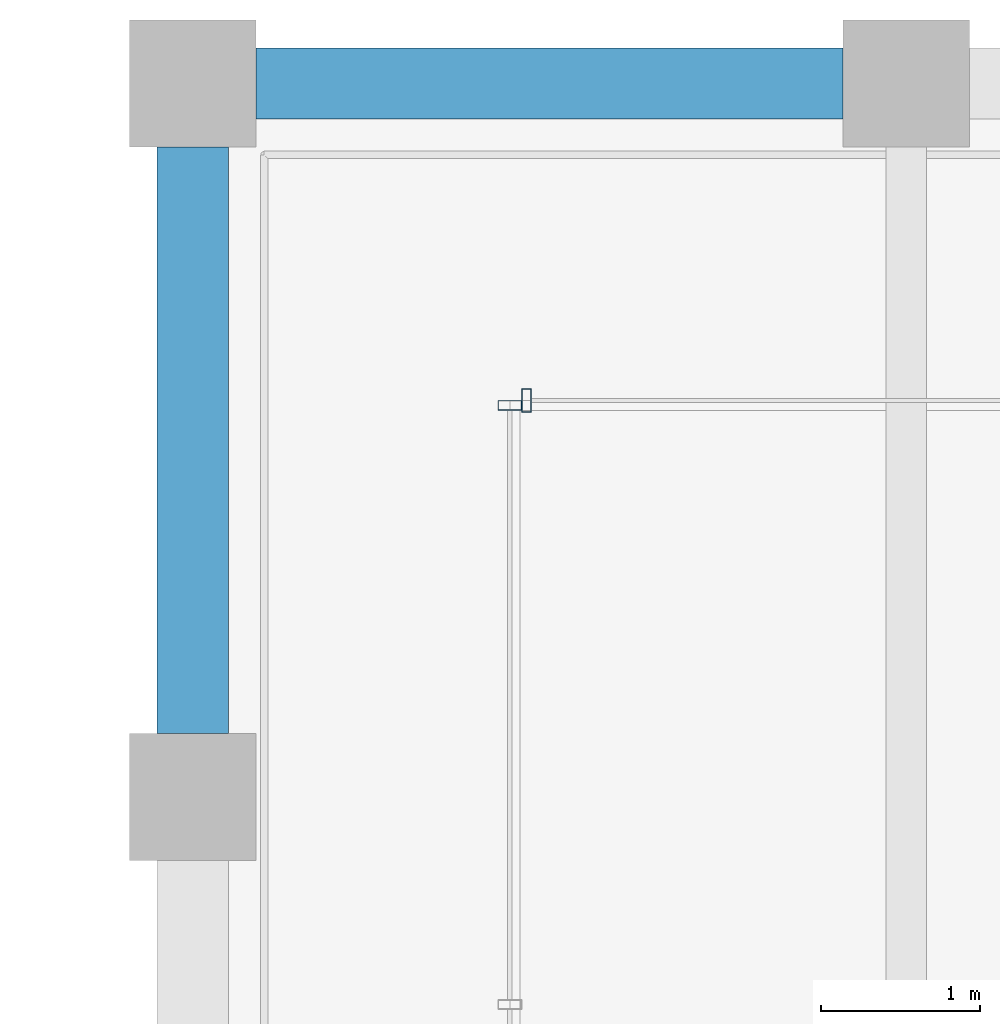
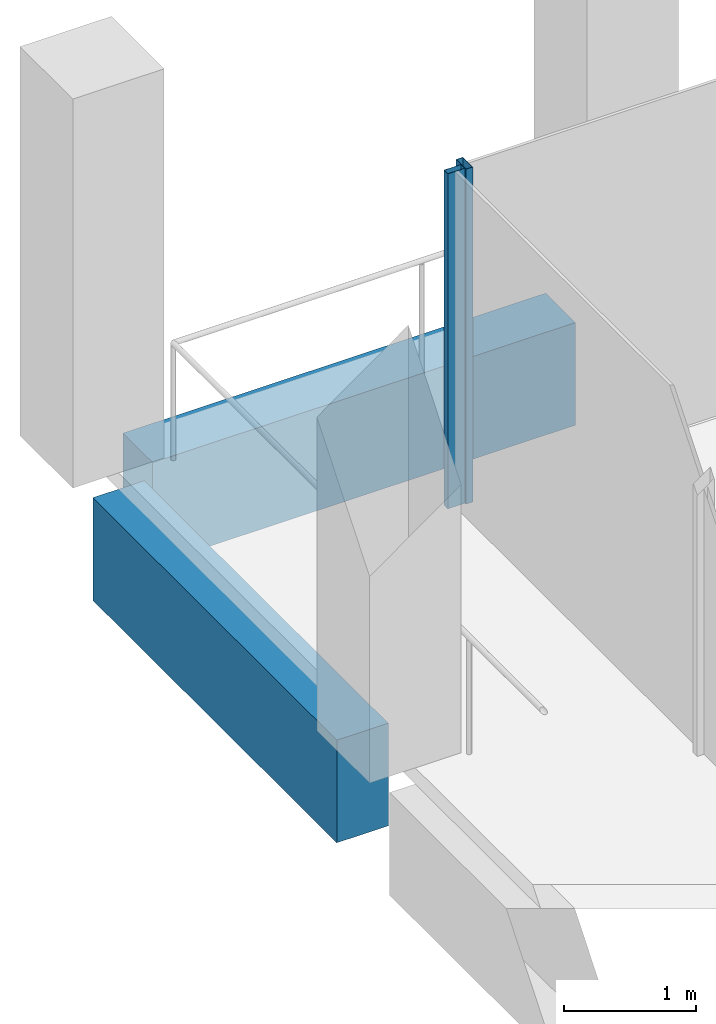
# One storey, part 21 of 30: 2 beams, 2 members, 2 elements without a shape of their own.
"""IFC4 building model written with IfcOpenShell, lengths in metres."""

from ifc_helpers import new_model, si_unit, direction, frame, origin, origin_2d, place, context, subcontext, project, spatial, rectangle, hollow_rectangle, extrude, material, material_profile, profile_set, type_object, element, aggregate, save


model = new_model("IFC4")

# Units and contexts
model_context = context("Model", 3, precision=1e-05, world=origin(), true_north=direction((0.0, 1.0)))
body_context = subcontext(model_context, "Body", "Model", "MODEL_VIEW")
ifc_project = project(units=[si_unit("LENGTHUNIT", "METRE"), si_unit("AREAUNIT", "SQUARE_METRE"), si_unit("VOLUMEUNIT", "CUBIC_METRE"), si_unit("PLANEANGLEUNIT", "RADIAN"), si_unit("MASSUNIT", "GRAM", prefix="KILO")], contexts=[model_context])

# Site, building, storey
site_placement = place(None, origin())
site = spatial("IfcSite", under=ifc_project, at=site_placement, CompositionType="ELEMENT")
building_placement = place(site_placement, origin())
building = spatial("IfcBuilding", under=site, at=building_placement, Name="Altepetl Exchange Towers", CompositionType="ELEMENT")
storey_placement = place(building_placement, frame((0.0, 0.0, 220.800048828125)))
storey = spatial("IfcBuildingStorey", under=building, at=storey_placement, Name="L56", CompositionType="ELEMENT", Elevation=220.800048828125)

# Curtain wall, member
ifc_material_1 = material(Name="Aluminium 6063-T6 glazing", Category="aluminium")
curtain_wall_type = type_object("IfcCurtainWallType", Name="Loggia glazing system", PredefinedType="NOTDEFINED", material=ifc_material_1)
curtain_wall_1_placement = place(storey_placement, origin())
curtain_wall_1 = element("IfcCurtainWall", 1, at=curtain_wall_1_placement, inside=storey, type_object=curtain_wall_type, Name="CW1 run", PredefinedType="NOTDEFINED")
ifc_material_2 = material(Name="Aluminium 6063-T6", Category="aluminium")
ifc_material_profile_1 = material_profile(ifc_material_2, hollow_rectangle(XDim=0.06005859375, YDim=0.14990234375, WallThickness=0.0029296875, at=origin_2d()), Name="Mullion 60x150 aluminium")
ifc_profile_set_1 = profile_set([ifc_material_profile_1], Name="Aluminium 6063-T6")
member_type = type_object("IfcMemberType", Name="Mullion 60x150 aluminium", PredefinedType="MULLION", material=ifc_profile_set_1)
member_1_placement = place(storey_placement, frame((42.60498046875, 70.0, 0.0), z_axis=(0.0, 0.0, 1.0), x_axis=(-1.0, 0.0, 0.0)))
member_1 = element("IfcMember", 2, at=member_1_placement, type_object=member_type, Name="MU1 mullion", PredefinedType="MULLION", context=body_context, shape_type="SweptSolid", body=[
    extrude(hollow_rectangle(XDim=0.06005859375, YDim=0.14990234375, WallThickness=0.0029296875, at=origin_2d()), origin(), (0.0, 0.0, 1.0), 3.099853515625),
])
aggregate(curtain_wall_1, [member_1])

curtain_wall_2_placement = place(storey_placement, origin())
curtain_wall_2 = element("IfcCurtainWall", 3, at=curtain_wall_2_placement, inside=storey, type_object=curtain_wall_type, Name="CW1 run", PredefinedType="NOTDEFINED")
member_2_placement = place(storey_placement, frame((42.5, 69.969970703125, 0.0), z_axis=(0.0, 0.0, 1.0), x_axis=(0.0, -1.0, 0.0)))
member_2 = element("IfcMember", 4, at=member_2_placement, type_object=member_type, Name="MU1 mullion", PredefinedType="MULLION", context=body_context, shape_type="SweptSolid", body=[
    extrude(hollow_rectangle(XDim=0.06005859375, YDim=0.14990234375, WallThickness=0.0029296875, at=origin_2d()), origin(), (0.0, 0.0, 1.0), 3.099853515625),
])
aggregate(curtain_wall_2, [member_2])

# Beams
ifc_material_3 = material(Name="Concrete C50/60 precast with cantera rosa facing", Category="concrete")
ifc_material_profile_2 = material_profile(ifc_material_3, rectangle(XDim=0.449951171875, YDim=0.949951171875, at=origin_2d()), Name="450 x 950")
ifc_profile_set_2 = profile_set([ifc_material_profile_2], Name="Concrete C50/60 precast with cantera rosa facing")
beam_type_1 = type_object("IfcBeamType", Name="Spandrel beam 450x950 cantera rosa", PredefinedType="SPANDREL", material=ifc_profile_set_2)
beam_1_placement = place(storey_placement, frame((44.60009765625, 72.0, -0.625), z_axis=(-1.0, 0.0, 0.0), x_axis=(0.0, -1.0, 0.0)))
element("IfcBeam", 5, at=beam_1_placement, inside=storey, type_object=beam_type_1, Name="sp:A:L56:029", PredefinedType="SPANDREL", context=body_context, shape_type="SweptSolid", body=[
    extrude(rectangle(XDim=0.449951171875, YDim=0.949951171875, at=origin_2d()), origin(), (0.0, 0.0, 1.0), 3.7001953125),
])
ifc_material_4 = material(Name="Concrete C50/60 precast with tezontle facing", Category="concrete")
ifc_material_profile_3 = material_profile(ifc_material_4, rectangle(XDim=0.449951171875, YDim=0.949951171875, at=origin_2d()), Name="450 x 950")
ifc_profile_set_3 = profile_set([ifc_material_profile_3], Name="Concrete C50/60 precast with tezontle facing")
beam_type_2 = type_object("IfcBeamType", Name="Spandrel beam 450x950 tezontle", PredefinedType="SPANDREL", material=ifc_profile_set_3)
beam_2_placement = place(storey_placement, frame((40.5, 71.60009765625, -0.625), z_axis=(0.0, -1.0, 0.0), x_axis=(1.0, 0.0, 0.0)))
element("IfcBeam", 6, at=beam_2_placement, inside=storey, type_object=beam_type_2, Name="sp:A:L56:030", PredefinedType="SPANDREL", context=body_context, shape_type="SweptSolid", body=[
    extrude(rectangle(XDim=0.449951171875, YDim=0.949951171875, at=origin_2d()), origin(), (0.0, 0.0, 1.0), 3.7001953125),
])

save(model, "model.ifc")
